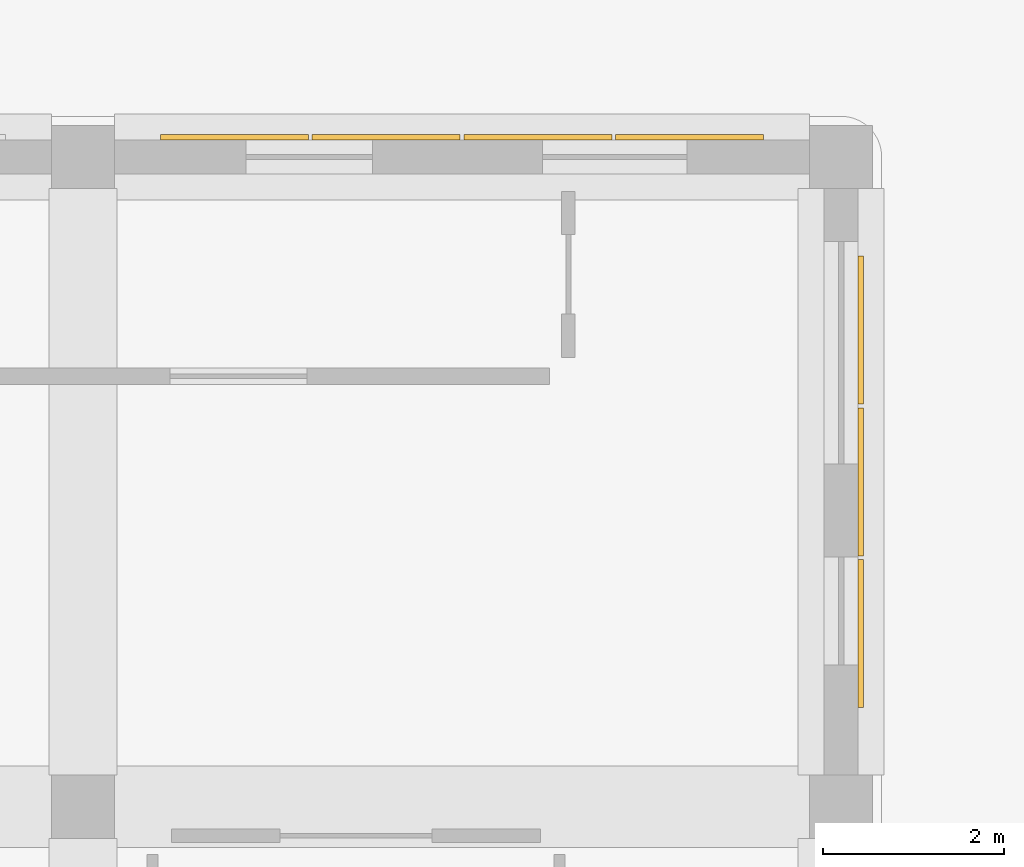
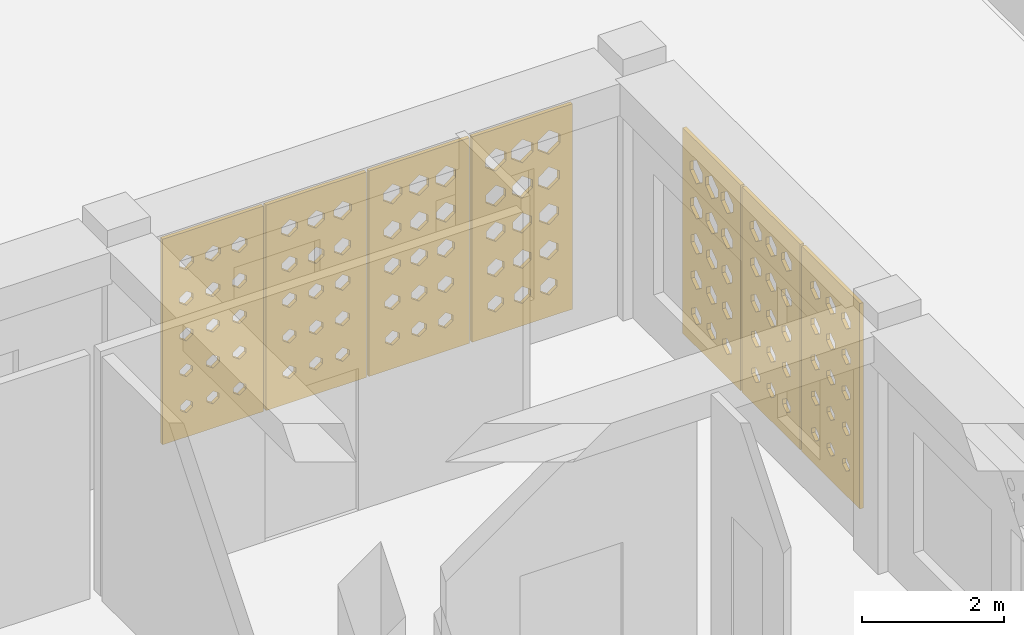
# One storey, part 46 of 47: 7 coverings.
"""IFC4 building model written with IfcOpenShell, lengths in metres."""

from ifc_helpers import new_model, si_unit, derived_unit, direction, frame, origin, place, context, subcontext, project, spatial, polyline, outline, extrude, material, layer, layer_set, type_object, element, save


model = new_model("IFC4")

# Units and contexts
model_context = context("Model", 3, precision=1e-05, world=origin(), true_north=direction((0.0, 1.0)))
body_context = subcontext(model_context, "Body", "Model", "MODEL_VIEW")
ifc_project = project(units=[si_unit("LENGTHUNIT", "METRE"), si_unit("AREAUNIT", "SQUARE_METRE"), si_unit("VOLUMEUNIT", "CUBIC_METRE"), si_unit("PLANEANGLEUNIT", "RADIAN"), si_unit("MASSUNIT", "GRAM", prefix="KILO"), derived_unit("THERMALTRANSMITTANCEUNIT", [(si_unit("POWERUNIT", "WATT"), 1), (si_unit("LENGTHUNIT", "METRE"), -2), (si_unit("THERMODYNAMICTEMPERATUREUNIT", "KELVIN"), -1)])], contexts=[model_context])

# Site, building, storey
site_placement = place(None, origin())
site = spatial("IfcSite", under=ifc_project, at=site_placement, CompositionType="ELEMENT")
building_placement = place(site_placement, origin())
building = spatial("IfcBuilding", under=site, at=building_placement, Name="Veybourne Emporium", CompositionType="ELEMENT")
storey_placement = place(building_placement, frame((0.0, 0.0, 23.39990234375)))
storey = spatial("IfcBuildingStorey", under=building, at=storey_placement, Name="L05", CompositionType="ELEMENT", Elevation=23.39990234375)

# Coverings
ifc_material = material(Name="Warm-White Perforated Aluminium Screen Alloy", Category="aluminium")
ifc_layer_1 = layer(ifc_material, 0.06005859375)
ifc_layer_set_1 = layer_set([ifc_layer_1], Name="Warm-White Perforated Aluminium Screen Alloy")
covering_type_1 = type_object("IfcCoveringType", Name="WaveScreen_SCR-01", PredefinedType="CLADDING", material=ifc_layer_set_1)
covering_1_placement = place(storey_placement, frame((84.248046875, 82.800048828125, 1.830078125), z_axis=(-1.0, 0.0, 0.0), x_axis=(0.0, -1.0, 0.0)))
element("IfcCovering", 1, at=covering_1_placement, inside=storey, type_object=covering_type_1, Name="L05 wave-perforated aluminium screen SCR-01 (45.2)", PredefinedType="CLADDING", context=body_context, shape_type="SweptSolid", body=[
    extrude(outline(polyline([(-0.81982421875, -1.77001953125), (0.81982421875, -1.77001953125), (0.81982421875, 1.77001953125), (-0.81982421875, 1.77001953125), (-0.81982421875, -1.77001953125)]), holes=[polyline([(-0.433349609375, -1.10888671875), (-0.316162109375, -1.19287109375), (-0.316162109375, -1.287109375), (-0.433349609375, -1.37109375), (-0.550537109375, -1.287109375), (-0.550537109375, -1.19287109375), (-0.433349609375, -1.10888671875)]), polyline([(-0.433349609375, -0.478515625), (-0.3076171875, -0.569091796875), (-0.3076171875, -0.6708984375), (-0.433349609375, -0.761474609375), (-0.55908203125, -0.6708984375), (-0.55908203125, -0.569091796875), (-0.433349609375, -0.478515625)]), polyline([(-0.433349609375, 0.1533203125), (-0.2978515625, 0.05517578125), (-0.2978515625, -0.05517578125), (-0.433349609375, -0.1533203125), (-0.56884765625, -0.05517578125), (-0.56884765625, 0.05517578125), (-0.433349609375, 0.1533203125)]), polyline([(-0.433349609375, 0.78662109375), (-0.287109375, 0.679931640625), (-0.287109375, 0.56005859375), (-0.433349609375, 0.453369140625), (-0.57958984375, 0.56005859375), (-0.57958984375, 0.679931640625), (-0.433349609375, 0.78662109375)]), polyline([(-0.433349609375, 1.42041015625), (-0.275634765625, 1.304931640625), (-0.275634765625, 1.175048828125), (-0.433349609375, 1.0595703125), (-0.591064453125, 1.175048828125), (-0.591064453125, 1.304931640625), (-0.433349609375, 1.42041015625)]), polyline([(0.0, -1.113037109375), (0.114013671875, -1.1943359375), (0.114013671875, -1.28564453125), (0.0, -1.366943359375), (-0.114013671875, -1.28564453125), (-0.114013671875, -1.1943359375), (0.0, -1.113037109375)]), polyline([(0.0, -0.4833984375), (0.12158203125, -0.57080078125), (0.12158203125, -0.669189453125), (0.0, -0.756591796875), (-0.12158203125, -0.669189453125), (-0.12158203125, -0.57080078125), (0.0, -0.4833984375)]), polyline([(0.0, 0.14794921875), (0.131103515625, 0.05322265625), (0.131103515625, -0.05322265625), (0.0, -0.14794921875), (-0.131103515625, -0.05322265625), (-0.131103515625, 0.05322265625), (0.0, 0.14794921875)]), polyline([(0.0, 0.780517578125), (0.141357421875, 0.677734375), (0.141357421875, 0.562255859375), (0.0, 0.45947265625), (-0.141357421875, 0.562255859375), (-0.141357421875, 0.677734375), (0.0, 0.780517578125)]), polyline([(0.0, 1.414306640625), (0.152587890625, 1.302734375), (0.152587890625, 1.17724609375), (0.0, 1.06591796875), (-0.152587890625, 1.17724609375), (-0.152587890625, 1.302734375), (0.0, 1.414306640625)]), polyline([(0.433349609375, -1.11669921875), (0.544189453125, -1.195556640625), (0.544189453125, -1.284423828125), (0.433349609375, -1.36328125), (0.322509765625, -1.284423828125), (0.322509765625, -1.195556640625), (0.433349609375, -1.11669921875)]), polyline([(0.433349609375, -0.488037109375), (0.55126953125, -0.572509765625), (0.55126953125, -0.66748046875), (0.433349609375, -0.751953125), (0.315185546875, -0.66748046875), (0.315185546875, -0.572509765625), (0.433349609375, -0.488037109375)]), polyline([(0.433349609375, 0.142578125), (0.56005859375, 0.05126953125), (0.56005859375, -0.05126953125), (0.433349609375, -0.142578125), (0.306640625, -0.05126953125), (0.306640625, 0.05126953125), (0.433349609375, 0.142578125)]), polyline([(0.433349609375, 0.774658203125), (0.56982421875, 0.67578125), (0.56982421875, 0.564208984375), (0.433349609375, 0.46533203125), (0.296875, 0.564208984375), (0.296875, 0.67578125), (0.433349609375, 0.774658203125)]), polyline([(0.433349609375, 1.407958984375), (0.580810546875, 1.300537109375), (0.580810546875, 1.179443359375), (0.433349609375, 1.072021484375), (0.285888671875, 1.179443359375), (0.285888671875, 1.300537109375), (0.433349609375, 1.407958984375)])]), origin(), (0.0, 0.0, 1.0), 0.06005859375),
])
covering_2_placement = place(storey_placement, frame((77.280029296875, 86.64794921875, 1.830078125), z_axis=(0.0, -1.0, 0.0), x_axis=(1.0, 0.0, 0.0)))
element("IfcCovering", 2, at=covering_2_placement, inside=storey, type_object=covering_type_1, Name="L05 wave-perforated aluminium screen SCR-01 (46.1)", PredefinedType="CLADDING", context=body_context, shape_type="SweptSolid", body=[
    extrude(outline(polyline([(-0.81982421875, -1.77001953125), (0.81982421875, -1.77001953125), (0.81982421875, 1.77001953125), (-0.81982421875, 1.77001953125), (-0.81982421875, -1.77001953125)]), holes=[polyline([(-0.433349609375, -1.1298828125), (-0.333251953125, -1.200439453125), (-0.333251953125, -1.279541015625), (-0.433349609375, -1.35009765625), (-0.533203125, -1.279541015625), (-0.533203125, -1.200439453125), (-0.433349609375, -1.1298828125)]), polyline([(-0.433349609375, -0.508544921875), (-0.332275390625, -0.579833984375), (-0.332275390625, -0.66015625), (-0.433349609375, -0.7314453125), (-0.534423828125, -0.66015625), (-0.534423828125, -0.579833984375), (-0.433349609375, -0.508544921875)]), polyline([(-0.433349609375, 0.115234375), (-0.3291015625, 0.04150390625), (-0.3291015625, -0.04150390625), (-0.433349609375, -0.115234375), (-0.53759765625, -0.04150390625), (-0.53759765625, 0.04150390625), (-0.433349609375, 0.115234375)]), polyline([(-0.433349609375, 0.741455078125), (-0.323974609375, 0.663818359375), (-0.323974609375, 0.576416015625), (-0.433349609375, 0.49853515625), (-0.542724609375, 0.576416015625), (-0.542724609375, 0.663818359375), (-0.433349609375, 0.741455078125)]), polyline([(-0.433349609375, 1.369873046875), (-0.317138671875, 1.28662109375), (-0.317138671875, 1.193359375), (-0.433349609375, 1.110107421875), (-0.549560546875, 1.193359375), (-0.549560546875, 1.28662109375), (-0.433349609375, 1.369873046875)]), polyline([(0.0, -1.129638671875), (0.100341796875, -1.2001953125), (0.100341796875, -1.27978515625), (0.0, -1.350341796875), (-0.100341796875, -1.27978515625), (-0.100341796875, -1.2001953125), (0.0, -1.129638671875)]), polyline([(0.0, -0.507080078125), (0.102294921875, -0.579345703125), (0.102294921875, -0.66064453125), (0.0, -0.73291015625), (-0.102294921875, -0.66064453125), (-0.102294921875, -0.579345703125), (0.0, -0.507080078125)]), polyline([(0.0, 0.117919921875), (0.1064453125, 0.04248046875), (0.1064453125, -0.04248046875), (0.0, -0.117919921875), (-0.1064453125, -0.04248046875), (-0.1064453125, 0.04248046875), (0.0, 0.117919921875)]), polyline([(0.0, 0.744873046875), (0.1123046875, 0.6650390625), (0.1123046875, 0.574951171875), (0.0, 0.4951171875), (-0.1123046875, 0.574951171875), (-0.1123046875, 0.6650390625), (0.0, 0.744873046875)]), polyline([(0.0, 1.3740234375), (0.11962890625, 1.288330078125), (0.11962890625, 1.191650390625), (0.0, 1.10595703125), (-0.11962890625, 1.191650390625), (-0.11962890625, 1.288330078125), (0.0, 1.3740234375)]), polyline([(0.433349609375, -1.12890625), (0.5341796875, -1.199951171875), (0.5341796875, -1.280029296875), (0.433349609375, -1.351318359375), (0.33251953125, -1.280029296875), (0.33251953125, -1.199951171875), (0.433349609375, -1.12890625)]), polyline([(0.433349609375, -0.505126953125), (0.537109375, -0.57861328125), (0.537109375, -0.661376953125), (0.433349609375, -0.73486328125), (0.329345703125, -0.661376953125), (0.329345703125, -0.57861328125), (0.433349609375, -0.505126953125)]), polyline([(0.433349609375, 0.12060546875), (0.5419921875, 0.04345703125), (0.5419921875, -0.04345703125), (0.433349609375, -0.12060546875), (0.32470703125, -0.04345703125), (0.32470703125, 0.04345703125), (0.433349609375, 0.12060546875)]), polyline([(0.433349609375, 0.748779296875), (0.548583984375, 0.66650390625), (0.548583984375, 0.573486328125), (0.433349609375, 0.4912109375), (0.31787109375, 0.573486328125), (0.31787109375, 0.66650390625), (0.433349609375, 0.748779296875)]), polyline([(0.433349609375, 1.37890625), (0.556884765625, 1.2900390625), (0.556884765625, 1.18994140625), (0.433349609375, 1.10107421875), (0.309814453125, 1.18994140625), (0.309814453125, 1.2900390625), (0.433349609375, 1.37890625)])]), origin(), (0.0, 0.0, 1.0), 0.06005859375),
])
ifc_layer_2 = layer(ifc_material, 0.06005859375)
ifc_layer_set_2 = layer_set([ifc_layer_2], Name="Warm-White Perforated Aluminium Screen Alloy")
covering_type_2 = type_object("IfcCoveringType", Name="WaveScreen_SCR-02", PredefinedType="CLADDING", material=ifc_layer_set_2)
covering_3_placement = place(storey_placement, frame((84.248046875, 81.1201171875, 1.830078125), z_axis=(-1.0, 0.0, 0.0), x_axis=(0.0, -1.0, 0.0)))
element("IfcCovering", 3, at=covering_3_placement, inside=storey, type_object=covering_type_2, Name="L05 wave-perforated aluminium screen SCR-02 (45.3)", PredefinedType="CLADDING", context=body_context, shape_type="SweptSolid", body=[
    extrude(outline(polyline([(-0.81982421875, -1.77001953125), (0.81982421875, -1.77001953125), (0.81982421875, 1.77001953125), (-0.81982421875, 1.77001953125), (-0.81982421875, -1.77001953125)]), holes=[polyline([(-0.433349609375, -1.12255859375), (-0.327392578125, -1.19775390625), (-0.327392578125, -1.2822265625), (-0.433349609375, -1.357421875), (-0.539306640625, -1.2822265625), (-0.539306640625, -1.19775390625), (-0.433349609375, -1.12255859375)]), polyline([(-0.433349609375, -0.49560546875), (-0.321533203125, -0.5751953125), (-0.321533203125, -0.664794921875), (-0.433349609375, -0.744384765625), (-0.545166015625, -0.664794921875), (-0.545166015625, -0.5751953125), (-0.433349609375, -0.49560546875)]), polyline([(-0.433349609375, 0.133544921875), (-0.314208984375, 0.048095703125), (-0.314208984375, -0.048095703125), (-0.433349609375, -0.133544921875), (-0.552490234375, -0.048095703125), (-0.552490234375, 0.048095703125), (-0.433349609375, 0.133544921875)]), polyline([(-0.433349609375, 0.764404296875), (-0.30517578125, 0.672119140625), (-0.30517578125, 0.568115234375), (-0.433349609375, 0.4755859375), (-0.5615234375, 0.568115234375), (-0.5615234375, 0.672119140625), (-0.433349609375, 0.764404296875)]), polyline([(-0.433349609375, 1.396728515625), (-0.295166015625, 1.29638671875), (-0.295166015625, 1.18359375), (-0.433349609375, 1.083251953125), (-0.571533203125, 1.18359375), (-0.571533203125, 1.29638671875), (-0.433349609375, 1.396728515625)]), polyline([(0.0, -1.125), (0.10400390625, -1.198486328125), (0.10400390625, -1.281494140625), (0.0, -1.35498046875), (-0.10400390625, -1.281494140625), (-0.10400390625, -1.198486328125), (0.0, -1.125)]), polyline([(0.0, -0.4990234375), (0.10888671875, -0.576416015625), (0.10888671875, -0.66357421875), (0.0, -0.740966796875), (-0.10888671875, -0.66357421875), (-0.10888671875, -0.576416015625), (0.0, -0.4990234375)]), polyline([(0.0, 0.129150390625), (0.11572265625, 0.04638671875), (0.11572265625, -0.04638671875), (0.0, -0.129150390625), (-0.11572265625, -0.04638671875), (-0.11572265625, 0.04638671875), (0.0, 0.129150390625)]), polyline([(0.0, 0.75927734375), (0.1240234375, 0.670166015625), (0.1240234375, 0.56982421875), (0.0, 0.480712890625), (-0.1240234375, 0.56982421875), (-0.1240234375, 0.670166015625), (0.0, 0.75927734375)]), polyline([(0.0, 1.39111328125), (0.133544921875, 1.29443359375), (0.133544921875, 1.185546875), (0.0, 1.089111328125), (-0.133544921875, 1.185546875), (-0.133544921875, 1.29443359375), (0.0, 1.39111328125)]), polyline([(0.433349609375, -1.126953125), (0.535888671875, -1.19921875), (0.535888671875, -1.28076171875), (0.433349609375, -1.35302734375), (0.330810546875, -1.28076171875), (0.330810546875, -1.19921875), (0.433349609375, -1.126953125)]), polyline([(0.433349609375, -0.501953125), (0.539794921875, -0.577392578125), (0.539794921875, -0.66259765625), (0.433349609375, -0.738037109375), (0.326904296875, -0.66259765625), (0.326904296875, -0.577392578125), (0.433349609375, -0.501953125)]), polyline([(0.433349609375, 0.125244140625), (0.5458984375, 0.045166015625), (0.5458984375, -0.045166015625), (0.433349609375, -0.125244140625), (0.32080078125, -0.045166015625), (0.32080078125, 0.045166015625), (0.433349609375, 0.125244140625)]), polyline([(0.433349609375, 0.754638671875), (0.553466796875, 0.66845703125), (0.553466796875, 0.571533203125), (0.433349609375, 0.4853515625), (0.313232421875, 0.571533203125), (0.313232421875, 0.66845703125), (0.433349609375, 0.754638671875)]), polyline([(0.433349609375, 1.385498046875), (0.5625, 1.29248046875), (0.5625, 1.1875), (0.433349609375, 1.094482421875), (0.30419921875, 1.1875), (0.30419921875, 1.29248046875), (0.433349609375, 1.385498046875)])]), origin(), (0.0, 0.0, 1.0), 0.06005859375),
])
covering_4_placement = place(storey_placement, frame((78.9599609375, 86.64794921875, 1.830078125), z_axis=(0.0, -1.0, 0.0), x_axis=(1.0, 0.0, 0.0)))
element("IfcCovering", 4, at=covering_4_placement, inside=storey, type_object=covering_type_2, Name="L05 wave-perforated aluminium screen SCR-02 (46.2)", PredefinedType="CLADDING", context=body_context, shape_type="SweptSolid", body=[
    extrude(outline(polyline([(-0.81982421875, -1.77001953125), (0.81982421875, -1.77001953125), (0.81982421875, 1.77001953125), (-0.81982421875, 1.77001953125), (-0.81982421875, -1.77001953125)]), holes=[polyline([(-0.433349609375, -1.1259765625), (-0.330078125, -1.198974609375), (-0.330078125, -1.281005859375), (-0.433349609375, -1.35400390625), (-0.53662109375, -1.281005859375), (-0.53662109375, -1.198974609375), (-0.433349609375, -1.1259765625)]), polyline([(-0.433349609375, -0.500244140625), (-0.325439453125, -0.576904296875), (-0.325439453125, -0.6630859375), (-0.433349609375, -0.73974609375), (-0.541259765625, -0.6630859375), (-0.541259765625, -0.576904296875), (-0.433349609375, -0.500244140625)]), polyline([(-0.433349609375, 0.12744140625), (-0.319091796875, 0.0458984375), (-0.319091796875, -0.0458984375), (-0.433349609375, -0.12744140625), (-0.547607421875, -0.0458984375), (-0.547607421875, 0.0458984375), (-0.433349609375, 0.12744140625)]), polyline([(-0.433349609375, 0.757080078125), (-0.31103515625, 0.66943359375), (-0.31103515625, 0.570556640625), (-0.433349609375, 0.48291015625), (-0.5556640625, 0.570556640625), (-0.5556640625, 0.66943359375), (-0.433349609375, 0.757080078125)]), polyline([(-0.433349609375, 1.388671875), (-0.3017578125, 1.29345703125), (-0.3017578125, 1.1865234375), (-0.433349609375, 1.09130859375), (-0.56494140625, 1.1865234375), (-0.56494140625, 1.29345703125), (-0.433349609375, 1.388671875)]), polyline([(0.0, -1.123779296875), (0.10498046875, -1.197998046875), (0.10498046875, -1.281982421875), (0.0, -1.356201171875), (-0.10498046875, -1.281982421875), (-0.10498046875, -1.197998046875), (0.0, -1.123779296875)]), polyline([(0.0, -0.4970703125), (0.110595703125, -0.57568359375), (0.110595703125, -0.664306640625), (0.0, -0.742919921875), (-0.110595703125, -0.664306640625), (-0.110595703125, -0.57568359375), (0.0, -0.4970703125)]), polyline([(0.0, 0.131591796875), (0.11767578125, 0.04736328125), (0.11767578125, -0.04736328125), (0.0, -0.131591796875), (-0.11767578125, -0.04736328125), (-0.11767578125, 0.04736328125), (0.0, 0.131591796875)]), polyline([(0.0, 0.76220703125), (0.126220703125, 0.671142578125), (0.126220703125, 0.56884765625), (0.0, 0.477783203125), (-0.126220703125, 0.56884765625), (-0.126220703125, 0.671142578125), (0.0, 0.76220703125)]), polyline([(0.0, 1.39404296875), (0.135986328125, 1.29541015625), (0.135986328125, 1.1845703125), (0.0, 1.0859375), (-0.135986328125, 1.1845703125), (-0.135986328125, 1.29541015625), (0.0, 1.39404296875)]), polyline([(0.433349609375, -1.12109375), (0.540771484375, -1.197265625), (0.540771484375, -1.28271484375), (0.433349609375, -1.35888671875), (0.325927734375, -1.28271484375), (0.325927734375, -1.197265625), (0.433349609375, -1.12109375)]), polyline([(0.433349609375, -0.493408203125), (0.546875, -0.574462890625), (0.546875, -0.66552734375), (0.433349609375, -0.74658203125), (0.31982421875, -0.66552734375), (0.31982421875, -0.574462890625), (0.433349609375, -0.493408203125)]), polyline([(0.433349609375, 0.135986328125), (0.5546875, 0.049072265625), (0.5546875, -0.049072265625), (0.433349609375, -0.135986328125), (0.31201171875, -0.049072265625), (0.31201171875, 0.049072265625), (0.433349609375, 0.135986328125)]), polyline([(0.433349609375, 0.767333984375), (0.56396484375, 0.673095703125), (0.56396484375, 0.56689453125), (0.433349609375, 0.47265625), (0.302734375, 0.56689453125), (0.302734375, 0.673095703125), (0.433349609375, 0.767333984375)]), polyline([(0.433349609375, 1.39990234375), (0.57421875, 1.297607421875), (0.57421875, 1.182373046875), (0.433349609375, 1.080078125), (0.29248046875, 1.182373046875), (0.29248046875, 1.297607421875), (0.433349609375, 1.39990234375)])]), origin(), (0.0, 0.0, 1.0), 0.06005859375),
])
ifc_layer_3 = layer(ifc_material, 0.06005859375)
ifc_layer_set_3 = layer_set([ifc_layer_3], Name="Warm-White Perforated Aluminium Screen Alloy")
covering_type_3 = type_object("IfcCoveringType", Name="WaveScreen_SCR-03", PredefinedType="CLADDING", material=ifc_layer_set_3)
covering_5_placement = place(storey_placement, frame((80.639892578125, 86.64794921875, 1.830078125), z_axis=(0.0, -1.0, 0.0), x_axis=(1.0, 0.0, 0.0)))
element("IfcCovering", 5, at=covering_5_placement, inside=storey, type_object=covering_type_3, Name="L05 wave-perforated aluminium screen SCR-03 (46.3)", PredefinedType="CLADDING", context=body_context, shape_type="SweptSolid", body=[
    extrude(outline(polyline([(-0.81982421875, -1.77001953125), (0.81982421875, -1.77001953125), (0.81982421875, 1.77001953125), (-0.81982421875, 1.77001953125), (-0.81982421875, -1.77001953125)]), holes=[polyline([(-0.433349609375, -1.11474609375), (-0.32080078125, -1.19482421875), (-0.32080078125, -1.28515625), (-0.433349609375, -1.365234375), (-0.5458984375, -1.28515625), (-0.5458984375, -1.19482421875), (-0.433349609375, -1.11474609375)]), polyline([(-0.433349609375, -0.485595703125), (-0.313232421875, -0.571533203125), (-0.313232421875, -0.66845703125), (-0.433349609375, -0.75439453125), (-0.553466796875, -0.66845703125), (-0.553466796875, -0.571533203125), (-0.433349609375, -0.485595703125)]), polyline([(-0.433349609375, 0.1455078125), (-0.30419921875, 0.052490234375), (-0.30419921875, -0.052490234375), (-0.433349609375, -0.1455078125), (-0.5625, -0.052490234375), (-0.5625, 0.052490234375), (-0.433349609375, 0.1455078125)]), polyline([(-0.433349609375, 0.77783203125), (-0.294189453125, 0.6767578125), (-0.294189453125, 0.563232421875), (-0.433349609375, 0.462158203125), (-0.572509765625, 0.563232421875), (-0.572509765625, 0.6767578125), (-0.433349609375, 0.77783203125)]), polyline([(-0.433349609375, 1.411376953125), (-0.283203125, 1.3017578125), (-0.283203125, 1.17822265625), (-0.433349609375, 1.068603515625), (-0.58349609375, 1.17822265625), (-0.58349609375, 1.3017578125), (-0.433349609375, 1.411376953125)]), polyline([(0.0, -1.11083984375), (0.11572265625, -1.193603515625), (0.11572265625, -1.28662109375), (0.0, -1.369140625), (-0.11572265625, -1.28662109375), (-0.11572265625, -1.193603515625), (0.0, -1.11083984375)]), polyline([(0.0, -0.480712890625), (0.123779296875, -0.56982421875), (0.123779296875, -0.670166015625), (0.0, -0.75927734375), (-0.123779296875, -0.670166015625), (-0.123779296875, -0.56982421875), (0.0, -0.480712890625)]), polyline([(0.0, 0.15087890625), (0.133544921875, 0.05419921875), (0.133544921875, -0.05419921875), (0.0, -0.15087890625), (-0.133544921875, -0.05419921875), (-0.133544921875, 0.05419921875), (0.0, 0.15087890625)]), polyline([(0.0, 0.78369140625), (0.14404296875, 0.678955078125), (0.14404296875, 0.56103515625), (0.0, 0.456298828125), (-0.14404296875, 0.56103515625), (-0.14404296875, 0.678955078125), (0.0, 0.78369140625)]), polyline([(0.0, 1.41748046875), (0.1552734375, 1.303955078125), (0.1552734375, 1.176025390625), (0.0, 1.0625), (-0.1552734375, 1.176025390625), (-0.1552734375, 1.303955078125), (0.0, 1.41748046875)]), polyline([(0.433349609375, -1.1064453125), (0.552490234375, -1.19189453125), (0.552490234375, -1.2880859375), (0.433349609375, -1.37353515625), (0.314208984375, -1.2880859375), (0.314208984375, -1.19189453125), (0.433349609375, -1.1064453125)]), polyline([(0.433349609375, -0.4755859375), (0.561279296875, -0.568115234375), (0.561279296875, -0.671875), (0.433349609375, -0.764404296875), (0.305419921875, -0.671875), (0.305419921875, -0.568115234375), (0.433349609375, -0.4755859375)]), polyline([(0.433349609375, 0.156494140625), (0.571533203125, 0.056396484375), (0.571533203125, -0.056396484375), (0.433349609375, -0.156494140625), (0.295166015625, -0.056396484375), (0.295166015625, 0.056396484375), (0.433349609375, 0.156494140625)]), polyline([(0.433349609375, 0.7900390625), (0.58251953125, 0.68115234375), (0.58251953125, 0.558837890625), (0.433349609375, 0.449951171875), (0.2841796875, 0.558837890625), (0.2841796875, 0.68115234375), (0.433349609375, 0.7900390625)]), polyline([(0.433349609375, 1.424072265625), (0.593994140625, 1.30615234375), (0.593994140625, 1.173828125), (0.433349609375, 1.055908203125), (0.272705078125, 1.173828125), (0.272705078125, 1.30615234375), (0.433349609375, 1.424072265625)])]), origin(), (0.0, 0.0, 1.0), 0.06005859375),
])
ifc_layer_4 = layer(ifc_material, 0.06005859375)
ifc_layer_set_4 = layer_set([ifc_layer_4], Name="Warm-White Perforated Aluminium Screen Alloy")
covering_type_4 = type_object("IfcCoveringType", Name="WaveScreen_SCR-04", PredefinedType="CLADDING", material=ifc_layer_set_4)
covering_6_placement = place(storey_placement, frame((84.248046875, 84.47998046875, 1.830078125), z_axis=(-1.0, 0.0, 0.0), x_axis=(0.0, -1.0, 0.0)))
element("IfcCovering", 6, at=covering_6_placement, inside=storey, type_object=covering_type_4, Name="L05 wave-perforated aluminium screen SCR-04 (45.1)", PredefinedType="CLADDING", context=body_context, shape_type="SweptSolid", body=[
    extrude(outline(polyline([(-0.81982421875, -1.77001953125), (0.81982421875, -1.77001953125), (0.81982421875, 1.77001953125), (-0.81982421875, 1.77001953125), (-0.81982421875, -1.77001953125)]), holes=[polyline([(-0.433349609375, -1.08984375), (-0.30029296875, -1.185791015625), (-0.30029296875, -1.294189453125), (-0.433349609375, -1.39013671875), (-0.566162109375, -1.294189453125), (-0.566162109375, -1.185791015625), (-0.433349609375, -1.08984375)]), polyline([(-0.433349609375, -0.456787109375), (-0.289794921875, -0.561279296875), (-0.289794921875, -0.6787109375), (-0.433349609375, -0.783203125), (-0.576904296875, -0.6787109375), (-0.576904296875, -0.561279296875), (-0.433349609375, -0.456787109375)]), polyline([(-0.433349609375, 0.1767578125), (-0.27880859375, 0.063720703125), (-0.27880859375, -0.063720703125), (-0.433349609375, -0.1767578125), (-0.587890625, -0.063720703125), (-0.587890625, 0.063720703125), (-0.433349609375, 0.1767578125)]), polyline([(-0.433349609375, 0.81103515625), (-0.26708984375, 0.688720703125), (-0.26708984375, 0.55126953125), (-0.433349609375, 0.428955078125), (-0.599609375, 0.55126953125), (-0.599609375, 0.688720703125), (-0.433349609375, 0.81103515625)]), polyline([(-0.433349609375, 1.4453125), (-0.25537109375, 1.31396484375), (-0.25537109375, 1.166015625), (-0.433349609375, 1.03466796875), (-0.611328125, 1.166015625), (-0.611328125, 1.31396484375), (-0.433349609375, 1.4453125)]), polyline([(0.0, -1.09521484375), (0.12841796875, -1.18798828125), (0.12841796875, -1.2919921875), (0.0, -1.384765625), (-0.12841796875, -1.2919921875), (-0.12841796875, -1.18798828125), (0.0, -1.09521484375)]), polyline([(0.0, -0.462890625), (0.138671875, -0.5634765625), (0.138671875, -0.676513671875), (0.0, -0.777099609375), (-0.138671875, -0.676513671875), (-0.138671875, -0.5634765625), (0.0, -0.462890625)]), polyline([(0.0, 0.170654296875), (0.149658203125, 0.061279296875), (0.149658203125, -0.061279296875), (0.0, -0.170654296875), (-0.149658203125, -0.061279296875), (-0.149658203125, 0.061279296875), (0.0, 0.170654296875)]), polyline([(0.0, 0.8046875), (0.1611328125, 0.6865234375), (0.1611328125, 0.553466796875), (0.0, 0.435302734375), (-0.1611328125, 0.553466796875), (-0.1611328125, 0.6865234375), (0.0, 0.8046875)]), polyline([(0.0, 1.43896484375), (0.1728515625, 1.3115234375), (0.1728515625, 1.16845703125), (0.0, 1.041015625), (-0.1728515625, 1.16845703125), (-0.1728515625, 1.3115234375), (0.0, 1.43896484375)]), polyline([(0.433349609375, -1.100341796875), (0.5576171875, -1.189697265625), (0.5576171875, -1.290283203125), (0.433349609375, -1.379638671875), (0.30908203125, -1.290283203125), (0.30908203125, -1.189697265625), (0.433349609375, -1.100341796875)]), polyline([(0.433349609375, -0.468505859375), (0.5673828125, -0.5654296875), (0.5673828125, -0.674560546875), (0.433349609375, -0.771484375), (0.29931640625, -0.674560546875), (0.29931640625, -0.5654296875), (0.433349609375, -0.468505859375)]), polyline([(0.433349609375, 0.164306640625), (0.577880859375, 0.05908203125), (0.577880859375, -0.05908203125), (0.433349609375, -0.164306640625), (0.288818359375, -0.05908203125), (0.288818359375, 0.05908203125), (0.433349609375, 0.164306640625)]), polyline([(0.433349609375, 0.79833984375), (0.589111328125, 0.68408203125), (0.589111328125, 0.555908203125), (0.433349609375, 0.441650390625), (0.277587890625, 0.555908203125), (0.277587890625, 0.68408203125), (0.433349609375, 0.79833984375)]), polyline([(0.433349609375, 1.4326171875), (0.600830078125, 1.309326171875), (0.600830078125, 1.170654296875), (0.433349609375, 1.047607421875), (0.265869140625, 1.170654296875), (0.265869140625, 1.309326171875), (0.433349609375, 1.4326171875)])]), origin(), (0.0, 0.0, 1.0), 0.06005859375),
])
covering_7_placement = place(storey_placement, frame((82.320068359375, 86.64794921875, 1.830078125), z_axis=(0.0, -1.0, 0.0), x_axis=(1.0, 0.0, 0.0)))
element("IfcCovering", 7, at=covering_7_placement, inside=storey, type_object=covering_type_4, Name="L05 wave-perforated aluminium screen SCR-04 (46.4)", PredefinedType="CLADDING", context=body_context, shape_type="SweptSolid", body=[
    extrude(outline(polyline([(-0.81982421875, -1.77001953125), (0.81982421875, -1.77001953125), (0.81982421875, 1.77001953125), (-0.81982421875, 1.77001953125), (-0.81982421875, -1.77001953125)]), holes=[polyline([(-0.433349609375, -1.097412109375), (-0.306640625, -1.188720703125), (-0.306640625, -1.291259765625), (-0.433349609375, -1.382568359375), (-0.559814453125, -1.291259765625), (-0.559814453125, -1.188720703125), (-0.433349609375, -1.097412109375)]), polyline([(-0.433349609375, -0.46533203125), (-0.296875, -0.564208984375), (-0.296875, -0.67578125), (-0.433349609375, -0.774658203125), (-0.56982421875, -0.67578125), (-0.56982421875, -0.564208984375), (-0.433349609375, -0.46533203125)]), polyline([(-0.433349609375, 0.167724609375), (-0.285888671875, 0.060302734375), (-0.285888671875, -0.060302734375), (-0.433349609375, -0.167724609375), (-0.58056640625, -0.060302734375), (-0.58056640625, 0.060302734375), (-0.433349609375, 0.167724609375)]), polyline([(-0.433349609375, 0.8017578125), (-0.274658203125, 0.685302734375), (-0.274658203125, 0.5546875), (-0.433349609375, 0.438232421875), (-0.592041015625, 0.5546875), (-0.592041015625, 0.685302734375), (-0.433349609375, 0.8017578125)]), polyline([(-0.433349609375, 1.43603515625), (-0.262939453125, 1.310546875), (-0.262939453125, 1.16943359375), (-0.433349609375, 1.0439453125), (-0.603759765625, 1.16943359375), (-0.603759765625, 1.310546875), (-0.433349609375, 1.43603515625)]), polyline([(0.0, -1.09228515625), (0.130859375, -1.186767578125), (0.130859375, -1.293212890625), (0.0, -1.3876953125), (-0.130859375, -1.293212890625), (-0.130859375, -1.186767578125), (0.0, -1.09228515625)]), polyline([(0.0, -0.459716796875), (0.14111328125, -0.562255859375), (0.14111328125, -0.677734375), (0.0, -0.780517578125), (-0.14111328125, -0.677734375), (-0.14111328125, -0.562255859375), (0.0, -0.459716796875)]), polyline([(0.0, 0.174072265625), (0.15234375, 0.0625), (0.15234375, -0.0625), (0.0, -0.174072265625), (-0.15234375, -0.0625), (-0.15234375, 0.0625), (0.0, 0.174072265625)]), polyline([(0.0, 0.80810546875), (0.1640625, 0.687744140625), (0.1640625, 0.55224609375), (0.0, 0.431884765625), (-0.1640625, 0.55224609375), (-0.1640625, 0.687744140625), (0.0, 0.80810546875)]), polyline([(0.0, 1.4423828125), (0.17578125, 1.31298828125), (0.17578125, 1.1669921875), (0.0, 1.03759765625), (-0.17578125, 1.1669921875), (-0.17578125, 1.31298828125), (0.0, 1.4423828125)]), polyline([(0.433349609375, -1.086669921875), (0.56884765625, -1.184814453125), (0.56884765625, -1.295166015625), (0.433349609375, -1.393310546875), (0.2978515625, -1.295166015625), (0.2978515625, -1.184814453125), (0.433349609375, -1.086669921875)]), polyline([(0.433349609375, -0.45361328125), (0.57958984375, -0.56005859375), (0.57958984375, -0.679931640625), (0.433349609375, -0.786376953125), (0.287109375, -0.679931640625), (0.287109375, -0.56005859375), (0.433349609375, -0.45361328125)]), polyline([(0.433349609375, 0.180419921875), (0.5908203125, 0.06494140625), (0.5908203125, -0.06494140625), (0.433349609375, -0.180419921875), (0.27587890625, -0.06494140625), (0.27587890625, 0.06494140625), (0.433349609375, 0.180419921875)]), polyline([(0.433349609375, 0.814697265625), (0.6025390625, 0.690185546875), (0.6025390625, 0.5498046875), (0.433349609375, 0.42529296875), (0.26416015625, 0.5498046875), (0.26416015625, 0.690185546875), (0.433349609375, 0.814697265625)]), polyline([(0.433349609375, 1.44873046875), (0.6142578125, 1.315185546875), (0.6142578125, 1.164794921875), (0.433349609375, 1.03125), (0.25244140625, 1.164794921875), (0.25244140625, 1.315185546875), (0.433349609375, 1.44873046875)])]), origin(), (0.0, 0.0, 1.0), 0.06005859375),
])

save(model, "model.ifc")
